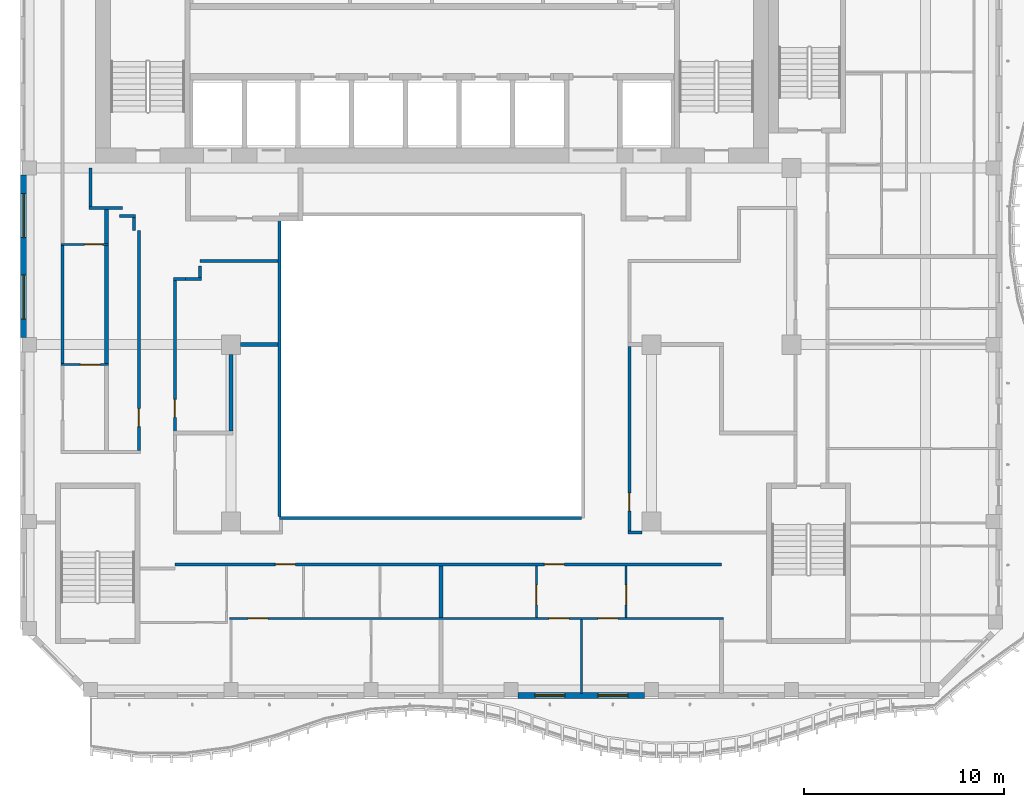
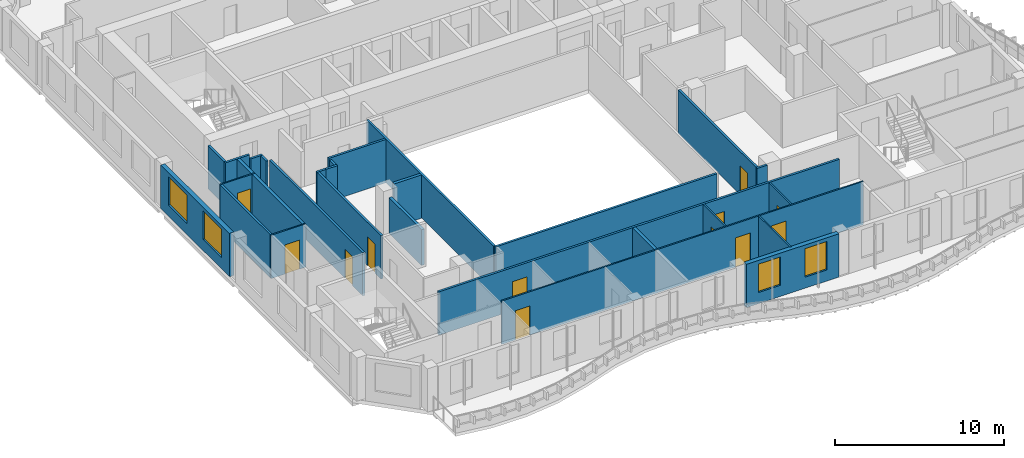
# One storey, part 3 of 18: 29 walls, 12 doors, 4 windows, 16 openings.
"""IFC4 building model written with IfcOpenShell, lengths in metres."""

from ifc_helpers import new_model, si_unit, direction, frame, frame_2d, origin, place, context, subcontext, project, spatial, rectangle, extrude, source, transform, mapped, material, layer, layer_set, type_object, element, fill, save


model = new_model("IFC4")

# Units and contexts
model_context = context("Model", 3, precision=1e-05, world=origin(), true_north=direction((0.0, 1.0)))
body_context = subcontext(model_context, "Body", "Model", "MODEL_VIEW")
ifc_project = project(units=[si_unit("LENGTHUNIT", "METRE"), si_unit("AREAUNIT", "SQUARE_METRE"), si_unit("VOLUMEUNIT", "CUBIC_METRE"), si_unit("PLANEANGLEUNIT", "RADIAN"), si_unit("MASSUNIT", "GRAM", prefix="KILO")], contexts=[model_context])

# Site, building, storey
site_placement = place(None, origin())
site = spatial("IfcSite", under=ifc_project, at=site_placement, CompositionType="ELEMENT")
building_placement = place(site_placement, origin())
building = spatial("IfcBuilding", under=site, at=building_placement, Name="Kilnfold Tower and Market Hall", CompositionType="ELEMENT")
storey_placement = place(building_placement, frame((0.0, 0.0, 249.199951171875)))
storey = spatial("IfcBuildingStorey", under=building, at=storey_placement, Name="L60", CompositionType="ELEMENT", Elevation=249.199951171875)

# Walls
ifc_material_1 = material(Name="Fire-resisting glazed screen")
ifc_layer_1 = layer(ifc_material_1, 0.14990234375)
ifc_layer_set_1 = layer_set([ifc_layer_1], Name="Fire-resisting glazed screen")
wall_type_1 = type_object("IfcWallType", Name="WALL ATRIUM 150", PredefinedType="PARTITIONING", material=ifc_layer_set_1)
wall_1_placement = place(storey_placement, frame((8.5, -9.47509765625, 0.0), z_axis=(0.0, 0.0, 1.0), x_axis=(-1.0, 0.0, 0.0)))
element("IfcWall", 1, at=wall_1_placement, inside=storey, type_object=wall_type_1, Name="Partition LY37.107", PredefinedType="PARTITIONING", context=body_context, shape_type="SweptSolid", body=[
    extrude(rectangle(XDim=15.074951171875, YDim=0.14990234375, at=frame_2d((7.53759765625, 0.0))), origin(), (0.0, 0.0, 1.0), 3.1201171875),
])
wall_2_placement = place(storey_placement, frame((-6.574951171875, -9.39990234375, 0.0), z_axis=(0.0, 0.0, 1.0), x_axis=(0.0, 1.0, 0.0)))
element("IfcWall", 2, at=wall_2_placement, inside=storey, type_object=wall_type_1, Name="Partition LY37.108", PredefinedType="PARTITIONING", context=body_context, shape_type="SweptSolid", body=[
    extrude(rectangle(XDim=15.0, YDim=0.14990234375, at=frame_2d((7.5, 0.0))), origin(), (0.0, 0.0, 1.0), 3.1201171875),
])
ifc_material_2 = material(Name="Gypsum board on steel studs", Category="steel")
ifc_layer_2 = layer(ifc_material_2, 0.14990234375)
ifc_layer_set_2 = layer_set([ifc_layer_2], Name="Gypsum board on steel studs")
wall_type_2 = type_object("IfcWallType", Name="WALL CORRIDOR 150", PredefinedType="PARTITIONING", material=ifc_layer_set_2)
wall_3_placement = place(storey_placement, frame((-17.39990234375, -1.791015625, 0.0), z_axis=(0.0, 0.0, 1.0), x_axis=(0.0, 1.0, 0.0)))
element("IfcWall", 3, at=wall_3_placement, inside=storey, type_object=wall_type_2, Name="Partition LY37.3", PredefinedType="PARTITIONING", context=body_context, shape_type="SweptSolid", body=[
    extrude(rectangle(XDim=5.925048828125, YDim=0.14990234375, at=frame_2d((2.96240234375, 0.0))), origin(), (0.0, 0.0, 1.0), 3.1201171875),
])
wall_4_placement = place(storey_placement, frame((-16.074951171875, 6.0, 0.0), z_axis=(0.0, 0.0, 1.0), x_axis=(1.0, 0.0, 0.0)))
element("IfcWall", 4, at=wall_4_placement, inside=storey, type_object=wall_type_2, Name="Partition LY37.5", PredefinedType="PARTITIONING", context=body_context, shape_type="SweptSolid", body=[
    extrude(rectangle(XDim=1.64990234375, YDim=0.14990234375, at=frame_2d((0.824951171875, 0.0))), origin(), (0.0, 0.0, 1.0), 3.1201171875),
])
wall_5_placement = place(storey_placement, frame((-16.0, 6.074951171875, 0.0), z_axis=(0.0, 0.0, 1.0), x_axis=(0.0, 1.0, 0.0)))
element("IfcWall", 5, at=wall_5_placement, inside=storey, type_object=wall_type_2, Name="Partition LY37.6", PredefinedType="PARTITIONING", context=body_context, shape_type="SweptSolid", body=[
    extrude(rectangle(XDim=1.925048828125, YDim=0.14990234375, at=frame_2d((0.96240234375, 0.0))), origin(), (0.0, 0.0, 1.0), 3.1201171875),
])

# Wall, openings, doors
wall_6_placement = place(storey_placement, frame((-11.800048828125, -11.800048828125, 0.0), z_axis=(0.0, 0.0, 1.0), x_axis=(1.0, 0.0, 0.0)))
wall_6 = element("IfcWall", 6, at=wall_6_placement, inside=storey, type_object=wall_type_2, Name="Partition LY37.9", PredefinedType="PARTITIONING", context=body_context, shape_type="SweptSolid", body=[
    extrude(rectangle(XDim=27.31005859375, YDim=0.14990234375, at=frame_2d((13.655029296875, 0.0))), origin(), (0.0, 0.0, 1.0), 3.1201171875),
])
opening_1_placement = place(wall_6_placement, frame((5.02099609375, 0.0, 0.0)))
opening_1 = element("IfcOpeningElement", 7, at=opening_1_placement, cuts=wall_6, Name="Opening D1", PredefinedType="OPENING", context=body_context, shape_type="SweptSolid", body=[
    extrude(rectangle(XDim=1.0, YDim=2.10009765625, at=frame_2d((0.5, 1.050048828125))), frame((0.0, 0.0849609375, 0.0), z_axis=(0.0, -1.0, 0.0), x_axis=(1.0, 0.0, 0.0)), (0.0, 0.0, 1.0), 0.169921875),
])
opening_2_placement = place(wall_6_placement, frame((18.45703125, 0.0, 0.0)))
opening_2 = element("IfcOpeningElement", 8, at=opening_2_placement, cuts=wall_6, Name="Opening D1", PredefinedType="OPENING", context=body_context, shape_type="SweptSolid", body=[
    extrude(rectangle(XDim=1.0, YDim=2.10009765625, at=frame_2d((0.5, 1.050048828125))), frame((0.0, 0.0849609375, 0.0), z_axis=(0.0, -1.0, 0.0), x_axis=(1.0, 0.0, 0.0)), (0.0, 0.0, 1.0), 0.169921875),
])
ifc_material_3 = material(Name="Timber veneer door leaf in steel frame", Category="steel")
door_type_1 = type_object("IfcDoorType", Name="DOOR ENTRY 1000 X2100", OperationType="NOTDEFINED", PredefinedType="DOOR", material=ifc_material_3)
door_1_placement = place(opening_1_placement, origin())
door_1 = element("IfcDoor", 9, at=door_1_placement, inside=storey, type_object=door_type_1, Name="Door D1", OperationType="SINGLE_SWING_LEFT", OverallHeight=2.10009765625, OverallWidth=1.0, PredefinedType="DOOR", context=body_context, shape_type="SweptSolid", body=[
    extrude(rectangle(XDim=1.0, YDim=2.10009765625, at=frame_2d((0.5, 1.050048828125))), frame((0.0, 0.02490234375, 0.0), z_axis=(0.0, -1.0, 0.0), x_axis=(1.0, 0.0, 0.0)), (0.0, 0.0, 1.0), 0.050048828125),
])
fill(opening_1, door_1)
door_2_placement = place(opening_2_placement, origin())
door_2 = element("IfcDoor", 10, at=door_2_placement, inside=storey, type_object=door_type_1, Name="Door D1", OperationType="SINGLE_SWING_LEFT", OverallHeight=2.10009765625, OverallWidth=1.0, PredefinedType="DOOR", context=body_context, shape_type="SweptSolid", body=[
    extrude(rectangle(XDim=1.0, YDim=2.10009765625, at=frame_2d((0.5, 1.050048828125))), frame((0.0, 0.02490234375, 0.0), z_axis=(0.0, -1.0, 0.0), x_axis=(1.0, 0.0, 0.0)), (0.0, 0.0, 1.0), 0.050048828125),
])
fill(opening_2, door_2)

# Wall, opening, door
wall_7_placement = place(storey_placement, frame((-13.60009765625, 4.87890625, 0.0), z_axis=(0.0, 0.0, 1.0), x_axis=(0.0, -1.0, 0.0)))
wall_7 = element("IfcWall", 11, at=wall_7_placement, inside=storey, type_object=wall_type_2, Name="Partition LY37.28", PredefinedType="PARTITIONING", context=body_context, shape_type="SweptSolid", body=[
    extrude(rectangle(XDim=11.00390625, YDim=0.14990234375, at=frame_2d((5.501953125, 0.0))), origin(), (0.0, 0.0, 1.0), 3.1201171875),
])
opening_3_placement = place(wall_7_placement, frame((8.904052734375, 0.0, 0.0)))
opening_3 = element("IfcOpeningElement", 12, at=opening_3_placement, cuts=wall_7, Name="Opening D2", PredefinedType="OPENING", context=body_context, shape_type="SweptSolid", body=[
    extrude(rectangle(XDim=0.89990234375, YDim=2.10009765625, at=frame_2d((0.449951171875, 1.050048828125))), frame((0.0, 0.0849609375, 0.0), z_axis=(0.0, -1.0, 0.0), x_axis=(1.0, 0.0, 0.0)), (0.0, 0.0, 1.0), 0.169921875),
])
ifc_material_4 = material(Name="Timber veneer door leaf in steel frame", Category="steel")
door_type_2 = type_object("IfcDoorType", Name="DOOR ROOM 900 X2100", OperationType="NOTDEFINED", PredefinedType="DOOR", material=ifc_material_4)
door_3_placement = place(opening_3_placement, origin())
door_3 = element("IfcDoor", 13, at=door_3_placement, inside=storey, type_object=door_type_2, Name="Door D2", OperationType="SINGLE_SWING_RIGHT", OverallHeight=2.10009765625, OverallWidth=0.89990234375, PredefinedType="DOOR", context=body_context, shape_type="SweptSolid", body=[
    extrude(rectangle(XDim=0.89990234375, YDim=2.10009765625, at=frame_2d((0.449951171875, 1.050048828125))), frame((0.0, 0.02490234375, 0.0), z_axis=(0.0, -1.0, 0.0), x_axis=(1.0, 0.0, 0.0)), (0.0, 0.0, 1.0), 0.050048828125),
])
fill(opening_3, door_3)

# Walls
wall_8_placement = place(storey_placement, frame((-13.843017578125, 5.52490234375, 0.0), z_axis=(0.0, 0.0, 1.0), x_axis=(0.0, -1.0, 0.0)))
element("IfcWall", 14, at=wall_8_placement, inside=storey, type_object=wall_type_2, Name="Partition LY37.29", PredefinedType="PARTITIONING", context=body_context, shape_type="SweptSolid", body=[
    extrude(rectangle(XDim=0.64599609375, YDim=0.14990234375, at=frame_2d((0.322998046875, 0.0))), origin(), (0.0, 0.0, 1.0), 3.1201171875),
])
wall_9_placement = place(storey_placement, frame((-14.574951171875, 5.60009765625, 0.0), z_axis=(0.0, 0.0, 1.0), x_axis=(1.0, 0.0, 0.0)))
element("IfcWall", 15, at=wall_9_placement, inside=storey, type_object=wall_type_2, Name="Partition LY37.30", PredefinedType="PARTITIONING", context=body_context, shape_type="SweptSolid", body=[
    extrude(rectangle(XDim=0.806884765625, YDim=0.14990234375, at=frame_2d((0.4033203125, 0.0))), origin(), (0.0, 0.0, 1.0), 3.1201171875),
])
wall_10_placement = place(storey_placement, frame((-10.5458984375, 3.35009765625, 0.0), z_axis=(0.0, 0.0, 1.0), x_axis=(1.0, 0.0, 0.0)))
element("IfcWall", 16, at=wall_10_placement, inside=storey, type_object=wall_type_2, Name="Partition LY37.31", PredefinedType="PARTITIONING", context=body_context, shape_type="SweptSolid", body=[
    extrude(rectangle(XDim=3.89599609375, YDim=0.14990234375, at=frame_2d((1.947998046875, 0.0))), origin(), (0.0, 0.0, 1.0), 3.1201171875),
])
wall_11_placement = place(storey_placement, frame((-10.5439453125, 2.52294921875, 0.0), z_axis=(0.0, 0.0, 1.0), x_axis=(0.0, 1.0, 0.0)))
element("IfcWall", 17, at=wall_11_placement, inside=storey, type_object=wall_type_2, Name="Partition LY37.32", PredefinedType="PARTITIONING", context=body_context, shape_type="SweptSolid", body=[
    extrude(rectangle(XDim=0.570068359375, YDim=0.14990234375, at=frame_2d((0.28515625, 0.0))), origin(), (0.0, 0.0, 1.0), 3.1201171875),
])
wall_12_placement = place(storey_placement, frame((-11.261962890625, 2.447998046875, 0.0), z_axis=(0.0, 0.0, 1.0), x_axis=(1.0, 0.0, 0.0)))
element("IfcWall", 18, at=wall_12_placement, inside=storey, type_object=wall_type_2, Name="Partition LY37.33", PredefinedType="PARTITIONING", context=body_context, shape_type="SweptSolid", body=[
    extrude(rectangle(XDim=0.79296875, YDim=0.14990234375, at=frame_2d((0.396484375, 0.0))), origin(), (0.0, 0.0, 1.0), 3.1201171875),
])
wall_13_placement = place(storey_placement, frame((-11.875, 2.449951171875, 0.0), z_axis=(0.0, 0.0, 1.0), x_axis=(1.0, 0.0, 0.0)))
element("IfcWall", 19, at=wall_13_placement, inside=storey, type_object=wall_type_2, Name="Partition LY37.34", PredefinedType="PARTITIONING", context=body_context, shape_type="SweptSolid", body=[
    extrude(rectangle(XDim=0.613037109375, YDim=0.14990234375, at=frame_2d((0.306640625, 0.0))), origin(), (0.0, 0.0, 1.0), 3.1201171875),
])

# Wall, opening, door
wall_14_placement = place(storey_placement, frame((-11.800048828125, -5.159912109375, 0.0), z_axis=(0.0, 0.0, 1.0), x_axis=(0.0, 1.0, 0.0)))
wall_14 = element("IfcWall", 20, at=wall_14_placement, inside=storey, type_object=wall_type_2, Name="Partition LY37.35", PredefinedType="PARTITIONING", context=body_context, shape_type="SweptSolid", body=[
    extrude(rectangle(XDim=7.534912109375, YDim=0.14990234375, at=frame_2d((3.767578125, 0.0))), origin(), (0.0, 0.0, 1.0), 3.1201171875),
])
opening_4_placement = place(wall_14_placement, frame((0.702880859375, 0.0, 0.0)))
opening_4 = element("IfcOpeningElement", 21, at=opening_4_placement, cuts=wall_14, Name="Opening D2", PredefinedType="OPENING", context=body_context, shape_type="SweptSolid", body=[
    extrude(rectangle(XDim=0.89990234375, YDim=2.10009765625, at=frame_2d((0.449951171875, 1.050048828125))), frame((0.0, 0.0849609375, 0.0), z_axis=(0.0, -1.0, 0.0), x_axis=(1.0, 0.0, 0.0)), (0.0, 0.0, 1.0), 0.169921875),
])
door_4_placement = place(opening_4_placement, origin())
door_4 = element("IfcDoor", 22, at=door_4_placement, inside=storey, type_object=door_type_2, Name="Door D2", OperationType="SINGLE_SWING_RIGHT", OverallHeight=2.10009765625, OverallWidth=0.89990234375, PredefinedType="DOOR", context=body_context, shape_type="SweptSolid", body=[
    extrude(rectangle(XDim=0.89990234375, YDim=2.10009765625, at=frame_2d((0.449951171875, 1.050048828125))), frame((0.0, 0.02490234375, 0.0), z_axis=(0.0, -1.0, 0.0), x_axis=(1.0, 0.0, 0.0)), (0.0, 0.0, 1.0), 0.050048828125),
])
fill(opening_4, door_4)

wall_15_placement = place(storey_placement, frame((10.89990234375, -10.125, 0.0), z_axis=(0.0, 0.0, 1.0), x_axis=(0.0, 1.0, 0.0)))
wall_15 = element("IfcWall", 23, at=wall_15_placement, inside=storey, type_object=wall_type_2, Name="Partition LY37.41", PredefinedType="PARTITIONING", context=body_context, shape_type="SweptSolid", body=[
    extrude(rectangle(XDim=9.201904296875, YDim=0.14990234375, at=frame_2d((4.60107421875, 0.0))), origin(), (0.0, 0.0, 1.0), 3.1201171875),
])
opening_5_placement = place(wall_15_placement, frame((1.0, 0.0, 0.0)))
opening_5 = element("IfcOpeningElement", 24, at=opening_5_placement, cuts=wall_15, Name="Opening D2", PredefinedType="OPENING", context=body_context, shape_type="SweptSolid", body=[
    extrude(rectangle(XDim=0.89990234375, YDim=2.10009765625, at=frame_2d((0.449951171875, 1.050048828125))), frame((0.0, 0.0849609375, 0.0), z_axis=(0.0, -1.0, 0.0), x_axis=(1.0, 0.0, 0.0)), (0.0, 0.0, 1.0), 0.169921875),
])
door_5_placement = place(opening_5_placement, origin())
door_5 = element("IfcDoor", 25, at=door_5_placement, inside=storey, type_object=door_type_2, Name="Door D2", OperationType="SINGLE_SWING_LEFT", OverallHeight=2.10009765625, OverallWidth=0.89990234375, PredefinedType="DOOR", context=body_context, shape_type="SweptSolid", body=[
    extrude(rectangle(XDim=0.89990234375, YDim=2.10009765625, at=frame_2d((0.449951171875, 1.050048828125))), frame((0.0, 0.02490234375, 0.0), z_axis=(0.0, -1.0, 0.0), x_axis=(1.0, 0.0, 0.0)), (0.0, 0.0, 1.0), 0.050048828125),
])
fill(opening_5, door_5)

# Wall
wall_16_placement = place(storey_placement, frame((10.824951171875, -10.199951171875, 0.0), z_axis=(0.0, 0.0, 1.0), x_axis=(1.0, 0.0, 0.0)))
element("IfcWall", 26, at=wall_16_placement, inside=storey, type_object=wall_type_2, Name="Partition LY37.43", PredefinedType="PARTITIONING", context=body_context, shape_type="SweptSolid", body=[
    extrude(rectangle(XDim=0.699951171875, YDim=0.14990234375, at=frame_2d((0.35009765625, 0.0))), origin(), (0.0, 0.0, 1.0), 3.1201171875),
])

# Wall, opening, door
ifc_material_5 = material(Name="Gypsum board on steel studs", Category="steel")
ifc_layer_3 = layer(ifc_material_5, 0.10009765625)
ifc_layer_set_3 = layer_set([ifc_layer_3], Name="Gypsum board on steel studs")
wall_type_3 = type_object("IfcWallType", Name="WALL PARTITION 100", PredefinedType="PARTITIONING", material=ifc_layer_set_3)
wall_17_placement = place(storey_placement, frame((-15.10009765625, -1.8310546875, 0.0), z_axis=(0.0, 0.0, 1.0), x_axis=(-1.0, 0.0, 0.0)))
wall_17 = element("IfcWall", 27, at=wall_17_placement, inside=storey, type_object=wall_type_3, Name="Partition LY37.50", PredefinedType="PARTITIONING", context=body_context, shape_type="SweptSolid", body=[
    extrude(rectangle(XDim=2.372802734375, YDim=0.10009765625, at=frame_2d((1.1865234375, 0.0))), origin(), (0.0, 0.0, 1.0), 3.1201171875),
])
opening_6_placement = place(wall_17_placement, frame((0.416015625, 0.0, 0.0)))
opening_6 = element("IfcOpeningElement", 28, at=opening_6_placement, cuts=wall_17, Name="Opening D1", PredefinedType="OPENING", context=body_context, shape_type="SweptSolid", body=[
    extrude(rectangle(XDim=1.0, YDim=2.10009765625, at=frame_2d((0.5, 1.050048828125))), frame((0.0, 0.06005859375, 0.0), z_axis=(0.0, -1.0, 0.0), x_axis=(1.0, 0.0, 0.0)), (0.0, 0.0, 1.0), 0.1201171875),
])
door_6_placement = place(opening_6_placement, origin())
door_6 = element("IfcDoor", 29, at=door_6_placement, inside=storey, type_object=door_type_1, Name="Door D1", OperationType="SINGLE_SWING_LEFT", OverallHeight=2.10009765625, OverallWidth=1.0, PredefinedType="DOOR", context=body_context, shape_type="SweptSolid", body=[
    extrude(rectangle(XDim=1.0, YDim=2.10009765625, at=frame_2d((0.5, 1.050048828125))), frame((0.0, 0.02490234375, 0.0), z_axis=(0.0, -1.0, 0.0), x_axis=(1.0, 0.0, 0.0)), (0.0, 0.0, 1.0), 0.050048828125),
])
fill(opening_6, door_6)

wall_18_placement = place(storey_placement, frame((-15.10009765625, 4.174072265625, 0.0), z_axis=(0.0, 0.0, 1.0), x_axis=(-1.0, 0.0, 0.0)))
wall_18 = element("IfcWall", 30, at=wall_18_placement, inside=storey, type_object=wall_type_3, Name="Partition LY37.52", PredefinedType="PARTITIONING", context=body_context, shape_type="SweptSolid", body=[
    extrude(rectangle(XDim=2.372802734375, YDim=0.10009765625, at=frame_2d((1.1865234375, 0.0))), origin(), (0.0, 0.0, 1.0), 3.1201171875),
])
opening_7_placement = place(wall_18_placement, frame((0.306884765625, 0.0, 0.0)))
opening_7 = element("IfcOpeningElement", 31, at=opening_7_placement, cuts=wall_18, Name="Opening D2", PredefinedType="OPENING", context=body_context, shape_type="SweptSolid", body=[
    extrude(rectangle(XDim=0.89990234375, YDim=2.10009765625, at=frame_2d((0.449951171875, 1.050048828125))), frame((0.0, 0.06005859375, 0.0), z_axis=(0.0, -1.0, 0.0), x_axis=(1.0, 0.0, 0.0)), (0.0, 0.0, 1.0), 0.1201171875),
])
door_7_placement = place(opening_7_placement, origin())
door_7 = element("IfcDoor", 32, at=door_7_placement, inside=storey, type_object=door_type_2, Name="Door D2", OperationType="SINGLE_SWING_RIGHT", OverallHeight=2.10009765625, OverallWidth=0.89990234375, PredefinedType="DOOR", context=body_context, shape_type="SweptSolid", body=[
    extrude(rectangle(XDim=0.89990234375, YDim=2.10009765625, at=frame_2d((0.449951171875, 1.050048828125))), frame((0.0, 0.02490234375, 0.0), z_axis=(0.0, -1.0, 0.0), x_axis=(1.0, 0.0, 0.0)), (0.0, 0.0, 1.0), 0.050048828125),
])
fill(opening_7, door_7)

# Wall, openings, doors
wall_19_placement = place(storey_placement, frame((-9.06005859375, -14.5, 0.0), z_axis=(0.0, 0.0, 1.0), x_axis=(1.0, 0.0, 0.0)))
wall_19 = element("IfcWall", 33, at=wall_19_placement, inside=storey, type_object=wall_type_3, Name="Partition LY37.59", PredefinedType="PARTITIONING", context=body_context, shape_type="SweptSolid", body=[
    extrude(rectangle(XDim=24.66015625, YDim=0.10009765625, at=frame_2d((12.330078125, 0.0))), origin(), (0.0, 0.0, 1.0), 3.1201171875),
])
opening_8_placement = place(wall_19_placement, frame((0.924072265625, 0.0, 0.0)))
opening_8 = element("IfcOpeningElement", 34, at=opening_8_placement, cuts=wall_19, Name="Opening D1", PredefinedType="OPENING", context=body_context, shape_type="SweptSolid", body=[
    extrude(rectangle(XDim=1.0, YDim=2.10009765625, at=frame_2d((0.5, 1.050048828125))), frame((0.0, 0.06005859375, 0.0), z_axis=(0.0, -1.0, 0.0), x_axis=(1.0, 0.0, 0.0)), (0.0, 0.0, 1.0), 0.1201171875),
])
opening_9_placement = place(wall_19_placement, frame((15.945068359375, 0.0, 0.0)))
opening_9 = element("IfcOpeningElement", 35, at=opening_9_placement, cuts=wall_19, Name="Opening D1", PredefinedType="OPENING", context=body_context, shape_type="SweptSolid", body=[
    extrude(rectangle(XDim=1.0, YDim=2.10009765625, at=frame_2d((0.5, 1.050048828125))), frame((0.0, 0.06005859375, 0.0), z_axis=(0.0, -1.0, 0.0), x_axis=(1.0, 0.0, 0.0)), (0.0, 0.0, 1.0), 0.1201171875),
])
opening_10_placement = place(wall_19_placement, frame((18.386962890625, 0.0, 0.0)))
opening_10 = element("IfcOpeningElement", 36, at=opening_10_placement, cuts=wall_19, Name="Opening D1", PredefinedType="OPENING", context=body_context, shape_type="SweptSolid", body=[
    extrude(rectangle(XDim=1.0, YDim=2.10009765625, at=frame_2d((0.5, 1.050048828125))), frame((0.0, 0.06005859375, 0.0), z_axis=(0.0, -1.0, 0.0), x_axis=(1.0, 0.0, 0.0)), (0.0, 0.0, 1.0), 0.1201171875),
])
door_8_placement = place(opening_8_placement, origin())
door_8 = element("IfcDoor", 37, at=door_8_placement, inside=storey, type_object=door_type_1, Name="Door D1", OperationType="SINGLE_SWING_RIGHT", OverallHeight=2.10009765625, OverallWidth=1.0, PredefinedType="DOOR", context=body_context, shape_type="SweptSolid", body=[
    extrude(rectangle(XDim=1.0, YDim=2.10009765625, at=frame_2d((0.5, 1.050048828125))), frame((0.0, 0.02490234375, 0.0), z_axis=(0.0, -1.0, 0.0), x_axis=(1.0, 0.0, 0.0)), (0.0, 0.0, 1.0), 0.050048828125),
])
fill(opening_8, door_8)
door_9_placement = place(opening_9_placement, origin())
door_9 = element("IfcDoor", 38, at=door_9_placement, inside=storey, type_object=door_type_1, Name="Door D1", OperationType="SINGLE_SWING_LEFT", OverallHeight=2.10009765625, OverallWidth=1.0, PredefinedType="DOOR", context=body_context, shape_type="SweptSolid", body=[
    extrude(rectangle(XDim=1.0, YDim=2.10009765625, at=frame_2d((0.5, 1.050048828125))), frame((0.0, 0.02490234375, 0.0), z_axis=(0.0, -1.0, 0.0), x_axis=(1.0, 0.0, 0.0)), (0.0, 0.0, 1.0), 0.050048828125),
])
fill(opening_9, door_9)
door_10_placement = place(opening_10_placement, origin())
door_10 = element("IfcDoor", 39, at=door_10_placement, inside=storey, type_object=door_type_1, Name="Door D1", OperationType="SINGLE_SWING_LEFT", OverallHeight=2.10009765625, OverallWidth=1.0, PredefinedType="DOOR", context=body_context, shape_type="SweptSolid", body=[
    extrude(rectangle(XDim=1.0, YDim=2.10009765625, at=frame_2d((0.5, 1.050048828125))), frame((0.0, 0.02490234375, 0.0), z_axis=(0.0, -1.0, 0.0), x_axis=(1.0, 0.0, 0.0)), (0.0, 0.0, 1.0), 0.050048828125),
])
fill(opening_10, door_10)

# Wall, opening, door
wall_20_placement = place(storey_placement, frame((6.260009765625, -14.449951171875, 0.0), z_axis=(0.0, 0.0, 1.0), x_axis=(0.0, 1.0, 0.0)))
wall_20 = element("IfcWall", 40, at=wall_20_placement, inside=storey, type_object=wall_type_3, Name="Partition LY37.65", PredefinedType="PARTITIONING", context=body_context, shape_type="SweptSolid", body=[
    extrude(rectangle(XDim=2.572998046875, YDim=0.10009765625, at=frame_2d((1.28662109375, 0.0))), origin(), (0.0, 0.0, 1.0), 3.1201171875),
])
opening_11_placement = place(wall_20_placement, frame((0.626953125, 0.0, 0.0)))
opening_11 = element("IfcOpeningElement", 41, at=opening_11_placement, cuts=wall_20, Name="Opening D1", PredefinedType="OPENING", context=body_context, shape_type="SweptSolid", body=[
    extrude(rectangle(XDim=1.0, YDim=2.10009765625, at=frame_2d((0.5, 1.050048828125))), frame((0.0, 0.06005859375, 0.0), z_axis=(0.0, -1.0, 0.0), x_axis=(1.0, 0.0, 0.0)), (0.0, 0.0, 1.0), 0.1201171875),
])
door_11_placement = place(opening_11_placement, origin())
door_11 = element("IfcDoor", 42, at=door_11_placement, inside=storey, type_object=door_type_1, Name="Door D1", OperationType="SINGLE_SWING_RIGHT", OverallHeight=2.10009765625, OverallWidth=1.0, PredefinedType="DOOR", context=body_context, shape_type="SweptSolid", body=[
    extrude(rectangle(XDim=1.0, YDim=2.10009765625, at=frame_2d((0.5, 1.050048828125))), frame((0.0, 0.02490234375, 0.0), z_axis=(0.0, -1.0, 0.0), x_axis=(1.0, 0.0, 0.0)), (0.0, 0.0, 1.0), 0.050048828125),
])
fill(opening_11, door_11)

wall_21_placement = place(storey_placement, frame((10.739990234375, -14.449951171875, 0.0), z_axis=(0.0, 0.0, 1.0), x_axis=(0.0, 1.0, 0.0)))
wall_21 = element("IfcWall", 43, at=wall_21_placement, inside=storey, type_object=wall_type_3, Name="Partition LY37.66", PredefinedType="PARTITIONING", context=body_context, shape_type="SweptSolid", body=[
    extrude(rectangle(XDim=2.572998046875, YDim=0.10009765625, at=frame_2d((1.28662109375, 0.0))), origin(), (0.0, 0.0, 1.0), 3.1201171875),
])
opening_12_placement = place(wall_21_placement, frame((0.626953125, 0.0, 0.0)))
opening_12 = element("IfcOpeningElement", 44, at=opening_12_placement, cuts=wall_21, Name="Opening D1", PredefinedType="OPENING", context=body_context, shape_type="SweptSolid", body=[
    extrude(rectangle(XDim=1.0, YDim=2.10009765625, at=frame_2d((0.5, 1.050048828125))), frame((0.0, 0.06005859375, 0.0), z_axis=(0.0, -1.0, 0.0), x_axis=(1.0, 0.0, 0.0)), (0.0, 0.0, 1.0), 0.1201171875),
])
door_12_placement = place(opening_12_placement, origin())
door_12 = element("IfcDoor", 45, at=door_12_placement, inside=storey, type_object=door_type_1, Name="Door D1", OperationType="SINGLE_SWING_LEFT", OverallHeight=2.10009765625, OverallWidth=1.0, PredefinedType="DOOR", context=body_context, shape_type="SweptSolid", body=[
    extrude(rectangle(XDim=1.0, YDim=2.10009765625, at=frame_2d((0.5, 1.050048828125))), frame((0.0, 0.02490234375, 0.0), z_axis=(0.0, -1.0, 0.0), x_axis=(1.0, 0.0, 0.0)), (0.0, 0.0, 1.0), 0.050048828125),
])
fill(opening_12, door_12)

# Walls
wall_22_placement = place(storey_placement, frame((8.5, -18.25, 0.0), z_axis=(0.0, 0.0, 1.0), x_axis=(0.0, 1.0, 0.0)))
element("IfcWall", 46, at=wall_22_placement, inside=storey, type_object=wall_type_3, Name="Partition LY37.67", PredefinedType="PARTITIONING", context=body_context, shape_type="SweptSolid", body=[
    extrude(rectangle(XDim=3.697998046875, YDim=0.10009765625, at=frame_2d((1.84912109375, 0.0))), origin(), (0.0, 0.0, 1.0), 3.1201171875),
])
ifc_material_6 = material(Name="Gypsum board on steel studs", Category="steel")
ifc_layer_4 = layer(ifc_material_6, 0.199951171875)
ifc_layer_set_4 = layer_set([ifc_layer_4], Name="Gypsum board on steel studs")
wall_type_4 = type_object("IfcWallType", Name="WALL PARTY 200", PredefinedType="PARTITIONING", material=ifc_layer_set_4)
wall_23_placement = place(storey_placement, frame((-15.199951171875, -1.781005859375, 0.0), z_axis=(0.0, 0.0, 1.0), x_axis=(0.0, 1.0, 0.0)))
element("IfcWall", 47, at=wall_23_placement, inside=storey, type_object=wall_type_4, Name="Partition LY37.53", PredefinedType="PARTITIONING", context=body_context, shape_type="SweptSolid", body=[
    extrude(rectangle(XDim=5.905029296875, YDim=0.199951171875, at=frame_2d((2.95263671875, 0.0))), origin(), (0.0, 0.0, 1.0), 3.1201171875),
])
wall_24_placement = place(storey_placement, frame((-15.199951171875, 4.22412109375, 0.0), z_axis=(0.0, 0.0, 1.0), x_axis=(0.0, 1.0, 0.0)))
element("IfcWall", 48, at=wall_24_placement, inside=storey, type_object=wall_type_4, Name="Partition LY37.55", PredefinedType="PARTITIONING", context=body_context, shape_type="SweptSolid", body=[
    extrude(rectangle(XDim=1.698974609375, YDim=0.199951171875, at=frame_2d((0.849609375, 0.0))), origin(), (0.0, 0.0, 1.0), 3.1201171875),
])
wall_25_placement = place(storey_placement, frame((1.5, -14.449951171875, 0.0), z_axis=(0.0, 0.0, 1.0), x_axis=(0.0, 1.0, 0.0)))
element("IfcWall", 49, at=wall_25_placement, inside=storey, type_object=wall_type_4, Name="Partition LY37.61", PredefinedType="PARTITIONING", context=body_context, shape_type="SweptSolid", body=[
    extrude(rectangle(XDim=2.572998046875, YDim=0.199951171875, at=frame_2d((1.28662109375, 0.0))), origin(), (0.0, 0.0, 1.0), 3.1201171875),
])
wall_26_placement = place(storey_placement, frame((-8.52490234375, -0.8330078125, 0.0), z_axis=(0.0, 0.0, 1.0), x_axis=(1.0, 0.0, 0.0)))
element("IfcWall", 50, at=wall_26_placement, inside=storey, type_object=wall_type_4, Name="Partition LY37.100", PredefinedType="PARTITIONING", context=body_context, shape_type="SweptSolid", body=[
    extrude(rectangle(XDim=1.875, YDim=0.199951171875, at=frame_2d((0.9375, 0.0))), origin(), (0.0, 0.0, 1.0), 3.1201171875),
])
wall_27_placement = place(storey_placement, frame((-9.0, -5.14990234375, 0.0), z_axis=(0.0, 0.0, 1.0), x_axis=(0.0, 1.0, 0.0)))
element("IfcWall", 51, at=wall_27_placement, inside=storey, type_object=wall_type_4, Name="Partition LY37.101", PredefinedType="PARTITIONING", context=body_context, shape_type="SweptSolid", body=[
    extrude(rectangle(XDim=3.841796875, YDim=0.199951171875, at=frame_2d((1.9208984375, 0.0))), origin(), (0.0, 0.0, 1.0), 2.570068359375),
])

# Wall, openings, windows
ifc_material_7 = material(Name="Precast concrete C50/60", Category="concrete")
ifc_layer_5 = layer(ifc_material_7, 0.300048828125)
ifc_layer_set_5 = layer_set([ifc_layer_5], Name="Precast concrete C50/60")
wall_type_5 = type_object("IfcWallType", Name="PRECAST WALL 300", PredefinedType="SOLIDWALL", material=ifc_layer_set_5)
shared_shape_1 = source(origin(), body_context, "Body", "SweptSolid", [
    extrude(rectangle(XDim=6.2998046875, YDim=0.300048828125, at=frame_2d((3.14990234375, 0.0))), origin(), (0.0, 0.0, 1.0), 3.1201171875),
])
wall_28_placement = place(storey_placement, frame((5.35009765625, -18.35009765625, 0.0), z_axis=(0.0, 0.0, 1.0), x_axis=(1.0, 0.0, 0.0)))
wall_28 = element("IfcWall", 52, at=wall_28_placement, inside=storey, type_object=wall_type_5, Name="External wall L60 S", PredefinedType="SOLIDWALL", context=body_context, shape_type="MappedRepresentation", body=[
    mapped(shared_shape_1, transform((0.0, 0.0, 0.0))),
])
opening_13_placement = place(wall_28_placement, frame((0.824951171875, 0.0, 0.800048828125)))
opening_13 = element("IfcOpeningElement", 53, at=opening_13_placement, cuts=wall_28, Name="Opening W5", PredefinedType="OPENING", context=body_context, shape_type="SweptSolid", body=[
    extrude(rectangle(XDim=1.5, YDim=2.050048828125, at=frame_2d((0.75, 1.02490234375))), frame((0.0, 0.16015625, 0.0), z_axis=(0.0, -1.0, 0.0), x_axis=(1.0, 0.0, 0.0)), (0.0, 0.0, 1.0), 0.320068359375),
])
opening_14_placement = place(wall_28_placement, frame((3.97509765625, 0.0, 0.800048828125)))
opening_14 = element("IfcOpeningElement", 54, at=opening_14_placement, cuts=wall_28, Name="Opening W5", PredefinedType="OPENING", context=body_context, shape_type="SweptSolid", body=[
    extrude(rectangle(XDim=1.5, YDim=2.050048828125, at=frame_2d((0.75, 1.02490234375))), frame((0.0, 0.16015625, 0.0), z_axis=(0.0, -1.0, 0.0), x_axis=(1.0, 0.0, 0.0)), (0.0, 0.0, 1.0), 0.320068359375),
])
ifc_material_8 = material(Name="Aluminium frame and double glazing", Category="aluminium")
window_type_1 = type_object("IfcWindowType", Name="WINDOW W5 1500X2050", PartitioningType="SINGLE_PANEL", PredefinedType="WINDOW", material=ifc_material_8)
window_1_placement = place(opening_13_placement, origin())
window_1 = element("IfcWindow", 55, at=window_1_placement, inside=storey, type_object=window_type_1, Name="Window W5 L60 S-1", OverallHeight=2.050048828125, OverallWidth=1.5, PartitioningType="SINGLE_PANEL", PredefinedType="WINDOW", context=body_context, shape_type="SweptSolid", body=[
    extrude(rectangle(XDim=1.5, YDim=2.050048828125, at=frame_2d((0.75, 1.02490234375))), frame((0.0, 0.030029296875, 0.0), z_axis=(0.0, -1.0, 0.0), x_axis=(1.0, 0.0, 0.0)), (0.0, 0.0, 1.0), 0.06005859375),
])
fill(opening_13, window_1)
window_2_placement = place(opening_14_placement, origin())
window_2 = element("IfcWindow", 56, at=window_2_placement, inside=storey, type_object=window_type_1, Name="Window W5 L60 S-2", OverallHeight=2.050048828125, OverallWidth=1.5, PartitioningType="SINGLE_PANEL", PredefinedType="WINDOW", context=body_context, shape_type="SweptSolid", body=[
    extrude(rectangle(XDim=1.5, YDim=2.050048828125, at=frame_2d((0.75, 1.02490234375))), frame((0.0, 0.030029296875, 0.0), z_axis=(0.0, -1.0, 0.0), x_axis=(1.0, 0.0, 0.0)), (0.0, 0.0, 1.0), 0.06005859375),
])
fill(opening_14, window_2)

shared_shape_2 = source(origin(), body_context, "Body", "SweptSolid", [
    extrude(rectangle(XDim=8.13330078125, YDim=0.300048828125, at=frame_2d((4.066650390625, 0.0))), origin(), (0.0, 0.0, 1.0), 3.1201171875),
])
wall_29_placement = place(storey_placement, frame((-19.35009765625, 7.64990234375, 0.0), z_axis=(0.0, 0.0, 1.0), x_axis=(0.0, -1.0, 0.0)))
wall_29 = element("IfcWall", 57, at=wall_29_placement, inside=storey, type_object=wall_type_5, Name="External wall L60 W", PredefinedType="SOLIDWALL", context=body_context, shape_type="MappedRepresentation", body=[
    mapped(shared_shape_2, transform((0.0, 0.0, 0.0))),
])
opening_15_placement = place(wall_29_placement, frame((0.933349609375, 0.0, 0.800048828125)))
opening_15 = element("IfcOpeningElement", 58, at=opening_15_placement, cuts=wall_29, Name="Opening W3", PredefinedType="OPENING", context=body_context, shape_type="SweptSolid", body=[
    extrude(rectangle(XDim=2.199951171875, YDim=2.050048828125, at=frame_2d((1.10009765625, 1.02490234375))), frame((0.0, 0.16015625, 0.0), z_axis=(0.0, -1.0, 0.0), x_axis=(1.0, 0.0, 0.0)), (0.0, 0.0, 1.0), 0.320068359375),
])
opening_16_placement = place(wall_29_placement, frame((5.0, 0.0, 0.800048828125)))
opening_16 = element("IfcOpeningElement", 59, at=opening_16_placement, cuts=wall_29, Name="Opening W3", PredefinedType="OPENING", context=body_context, shape_type="SweptSolid", body=[
    extrude(rectangle(XDim=2.199951171875, YDim=2.050048828125, at=frame_2d((1.10009765625, 1.02490234375))), frame((0.0, 0.16015625, 0.0), z_axis=(0.0, -1.0, 0.0), x_axis=(1.0, 0.0, 0.0)), (0.0, 0.0, 1.0), 0.320068359375),
])
ifc_material_9 = material(Name="Aluminium frame and double glazing", Category="aluminium")
window_type_2 = type_object("IfcWindowType", Name="WINDOW W3 2200X2050", PartitioningType="SINGLE_PANEL", PredefinedType="WINDOW", material=ifc_material_9)
window_3_placement = place(opening_15_placement, origin())
window_3 = element("IfcWindow", 60, at=window_3_placement, inside=storey, type_object=window_type_2, Name="Window W3 L60 W-1", OverallHeight=2.050048828125, OverallWidth=2.199951171875, PartitioningType="SINGLE_PANEL", PredefinedType="WINDOW", context=body_context, shape_type="SweptSolid", body=[
    extrude(rectangle(XDim=2.199951171875, YDim=2.050048828125, at=frame_2d((1.10009765625, 1.02490234375))), frame((0.0, 0.030029296875, 0.0), z_axis=(0.0, -1.0, 0.0), x_axis=(1.0, 0.0, 0.0)), (0.0, 0.0, 1.0), 0.06005859375),
])
fill(opening_15, window_3)
window_4_placement = place(opening_16_placement, origin())
window_4 = element("IfcWindow", 61, at=window_4_placement, inside=storey, type_object=window_type_2, Name="Window W3 L60 W-2", OverallHeight=2.050048828125, OverallWidth=2.199951171875, PartitioningType="SINGLE_PANEL", PredefinedType="WINDOW", context=body_context, shape_type="SweptSolid", body=[
    extrude(rectangle(XDim=2.199951171875, YDim=2.050048828125, at=frame_2d((1.10009765625, 1.02490234375))), frame((0.0, 0.030029296875, 0.0), z_axis=(0.0, -1.0, 0.0), x_axis=(1.0, 0.0, 0.0)), (0.0, 0.0, 1.0), 0.06005859375),
])
fill(opening_16, window_4)

save(model, "model.ifc")
